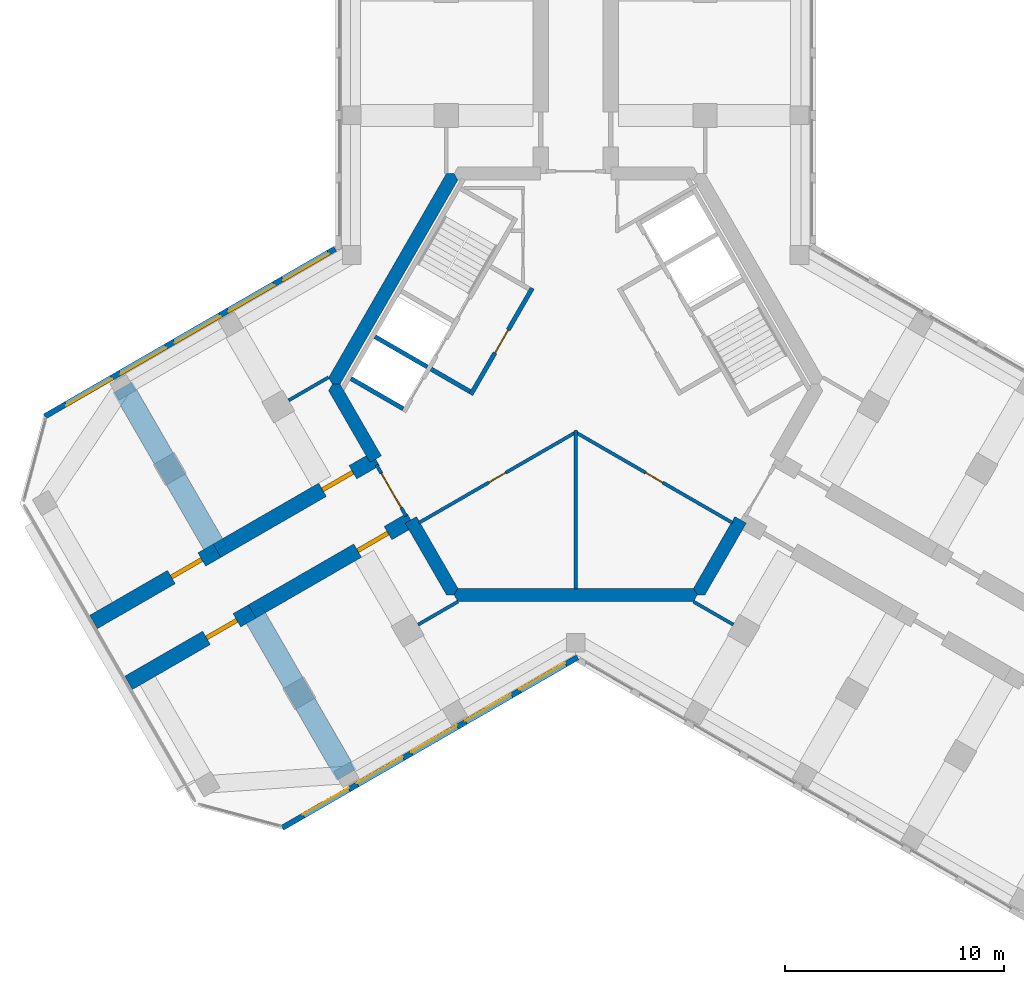
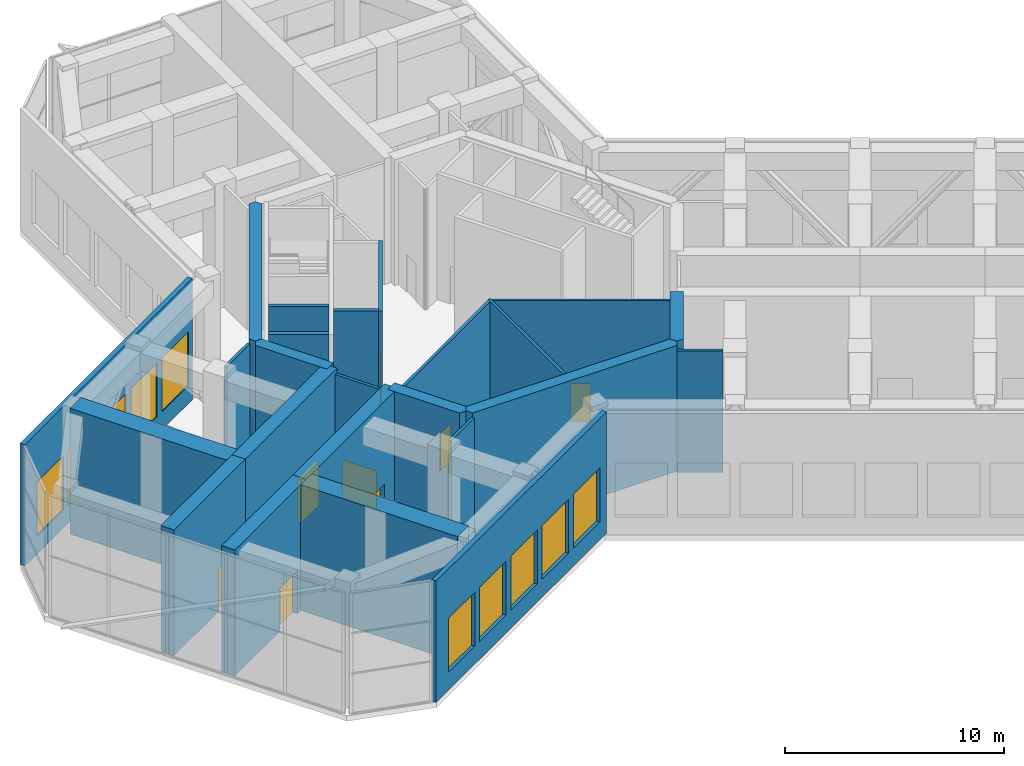
# One storey, part 8 of 12: 24 walls, 10 windows, 8 doors, 18 openings.
"""IFC4 building model written with IfcOpenShell, lengths in metres."""

import ifcopenshell
import ifcopenshell.guid

model = None  # the IFC model being written
_history = None  # IfcOwnerHistory: only IFC2X3 demands one
_inside = {}  # id of a spatial element -> (the spatial element, [elements in it])
_under = {}  # id of a project, library or spatial element -> (it, [spatial elements below it])
_declared = {}  # id of a project -> (the project, [libraries it declares])
_typed = {}  # id of a type object -> (the type object, [elements of that type])
_made_of = {}  # id of a material, layer set ... -> (it, [elements and type objects made of it])


def new_model(schema):
    """Start an empty IFC model of exactly this schema.

    Asked for "IFC4X3", IfcOpenShell would pick the latest addendum, in which some entities
    have other attributes; the version numbers below select the first issue.
    IFC2X3 requires an IfcOwnerHistory on every rooted entity: one is made here for all.
    """
    global model, _history
    if schema == "IFC4X3":
        model = ifcopenshell.file(schema_version=(4, 3, 0, 0))
    else:
        model = ifcopenshell.file(schema=schema)
    _inside.clear()
    _under.clear()
    _declared.clear()
    _typed.clear()
    _made_of.clear()
    _history = None
    if model.schema == "IFC2X3":
        org = make("IfcOrganization", Name="unknown")
        user = make(
            "IfcPersonAndOrganization",
            ThePerson=make("IfcPerson", FamilyName="unknown"),
            TheOrganization=org,
        )
        app = make(
            "IfcApplication",
            ApplicationDeveloper=org,
            Version="unknown",
            ApplicationFullName="unknown",
            ApplicationIdentifier="unknown",
        )
        _history = make(
            "IfcOwnerHistory",
            OwningUser=user,
            OwningApplication=app,
            ChangeAction="ADDED",
            CreationDate=0,
        )
    return model


def make(cls, **values):
    """One entity of the class cls with the attributes given. An attribute that is None is left unset."""
    return model.create_entity(
        cls, **{name: value for name, value in values.items() if value is not None}
    )


def rooted(cls, **values):
    """An entity with a GlobalId (a new one), such as an element, a storey or a relation."""
    return make(cls, GlobalId=ifcopenshell.guid.new(), OwnerHistory=_history, **values)


def si_unit(unit_type, name, prefix=None):
    """IfcSIUnit, for example si_unit("LENGTHUNIT", "METRE", prefix="MILLI")."""
    return make("IfcSIUnit", UnitType=unit_type, Prefix=prefix, Name=name)


def assignment(units):
    """IfcUnitAssignment: the units of a project."""
    return None if units is None else make("IfcUnitAssignment", Units=units)


def point(xyz):
    """IfcCartesianPoint."""
    return None if xyz is None else make("IfcCartesianPoint", Coordinates=xyz)


def direction(xyz):
    """IfcDirection."""
    return None if xyz is None else make("IfcDirection", DirectionRatios=xyz)


def frame(location, z_axis=None, x_axis=None):
    """IfcAxis2Placement3D, a coordinate frame: its origin and axes. An axis left out is left unset."""
    return make(
        "IfcAxis2Placement3D",
        Location=point(location),
        Axis=direction(z_axis),
        RefDirection=direction(x_axis),
    )


def frame_2d(location, x_axis=None):
    """IfcAxis2Placement2D, a coordinate frame in the plane: its origin and x axis."""
    return make(
        "IfcAxis2Placement2D", Location=point(location), RefDirection=direction(x_axis)
    )


def origin():
    """The frame at (0, 0, 0) with its axes left unset."""
    return frame((0.0, 0.0, 0.0))


def place(relative_to, where):
    """IfcLocalPlacement: puts the frame where relative to a parent placement (None: the world)."""
    return make(
        "IfcLocalPlacement", PlacementRelTo=relative_to, RelativePlacement=where
    )


def context(
    kind, dimensions, precision=None, world=None, true_north=None, identifier=None
):
    """IfcGeometricRepresentationContext, for example the 3D "Model" context."""
    return make(
        "IfcGeometricRepresentationContext",
        ContextIdentifier=identifier,
        ContextType=kind,
        CoordinateSpaceDimension=dimensions,
        Precision=precision,
        WorldCoordinateSystem=world,
        TrueNorth=true_north,
    )


def subcontext(parent, identifier, kind, view, scale=None):
    """IfcGeometricRepresentationSubContext, for example "Body" below "Model"."""
    return make(
        "IfcGeometricRepresentationSubContext",
        ContextIdentifier=identifier,
        ContextType=kind,
        ParentContext=parent,
        TargetScale=scale,
        TargetView=view,
    )


def project(units=None, contexts=None):
    """IfcProject with its units and contexts."""
    return rooted(
        "IfcProject",
        Name="project",
        RepresentationContexts=contexts,
        UnitsInContext=assignment(units),
    )


def spatial(cls, under=None, at=None, **own):
    """A site, building, storey or space (cls), placed at a placement, below another one or the project."""
    s = rooted(cls, ObjectPlacement=at, **own)
    if under is not None:
        _under.setdefault(under.id(), (under, []))[1].append(s)
    return s


def polyline(points):
    """IfcPolyline through the points."""
    return make("IfcPolyline", Points=[point(p) for p in points])


def profile(cls, at=None, kind="AREA", **sizes):
    """A parametric profile (cls). Its sizes go by their IFC names, for example OverallWidth=200.0."""
    return make(cls, ProfileType=kind, Position=at, **sizes)


def rectangle(**sizes):
    """IfcRectangleProfileDef."""
    return profile("IfcRectangleProfileDef", **sizes)


def outline(outer, holes=None, kind="AREA"):
    """IfcArbitraryClosedProfileDef: a profile drawn as a closed curve; with holes, ...WithVoids."""
    if holes is None:
        return make("IfcArbitraryClosedProfileDef", ProfileType=kind, OuterCurve=outer)
    return make(
        "IfcArbitraryProfileDefWithVoids",
        ProfileType=kind,
        OuterCurve=outer,
        InnerCurves=holes,
    )


def extrude(swept, where, along, depth):
    """IfcExtrudedAreaSolid: the profile swept, set in the frame where, extruded along a direction by depth."""
    return make(
        "IfcExtrudedAreaSolid",
        SweptArea=swept,
        Position=where,
        ExtrudedDirection=direction(along),
        Depth=depth,
    )


def shape(context_of_items, identifier, shape_type, items):
    """IfcShapeRepresentation: the items that make up one representation, for example the "Body"."""
    return make(
        "IfcShapeRepresentation",
        ContextOfItems=context_of_items,
        RepresentationIdentifier=identifier,
        RepresentationType=shape_type,
        Items=items,
    )


def material(Name=None, Category=None):
    """IfcMaterial."""
    return make("IfcMaterial", Name=Name, Category=Category)


def layer(
    of_material, thickness, ventilated=None, Name=None, Category=None, Priority=None
):
    """IfcMaterialLayer: one layer of a wall or slab, of a material (None: an air gap)."""
    return make(
        "IfcMaterialLayer",
        Material=of_material,
        LayerThickness=thickness,
        IsVentilated=ventilated,
        Name=Name,
        Category=Category,
        Priority=Priority,
    )


def layer_set(layers, Name=None):
    """IfcMaterialLayerSet."""
    return make("IfcMaterialLayerSet", MaterialLayers=layers, LayerSetName=Name)


def made_of(thing, what):
    """Note that an element or type object is made of a material, layer set ...; save() writes the relation."""
    if what is not None:
        _made_of.setdefault(what.id(), (what, []))[1].append(thing)
    return thing


def type_object(cls, material=None, **own):
    """A type object (cls), such as IfcWallType, which elements share."""
    return made_of(rooted(cls, **own), material)


def element(
    cls,
    number,
    at=None,
    inside=None,
    cuts=None,
    type_object=None,
    material=None,
    context=None,
    identifier="Body",
    shape_type=None,
    held_by="IfcProductDefinitionShape",
    body=None,
    shapes=None,
    **own,
):
    """One element of the class cls, such as IfcWall. Its Tag is "e" and its number.

    at: its placement. inside: the storey or other place that contains it. cuts: it is an
    opening in that element (IfcRelVoidsElement). A single representation is given by context,
    identifier, shape_type and body (its items); several are given by shapes. held_by: the class
    of the entity that holds the representations. save() writes the other relations.
    """
    e = rooted(cls, Tag="e%d" % number, ObjectPlacement=at, **own)
    if body is not None:
        shapes = [shape(context, identifier, shape_type, body)]
    if shapes is not None:
        e.Representation = make(held_by, Representations=shapes)
    if inside is not None:
        _inside.setdefault(inside.id(), (inside, []))[1].append(e)
    if cuts is not None:
        rooted(
            "IfcRelVoidsElement", RelatingBuildingElement=cuts, RelatedOpeningElement=e
        )
    if type_object is not None:
        _typed.setdefault(type_object.id(), (type_object, []))[1].append(e)
    return made_of(e, material)


def fill(opening, filler):
    """IfcRelFillsElement: the door or window that sits in an opening."""
    return rooted(
        "IfcRelFillsElement",
        RelatingOpeningElement=opening,
        RelatedBuildingElement=filler,
    )


def aggregate(whole, parts):
    """IfcRelAggregates: a whole, such as a stair, and the parts it consists of."""
    return rooted("IfcRelAggregates", RelatingObject=whole, RelatedObjects=parts)


def save(model, path):
    """Write the relations noted so far, then the file.

    IfcRelAggregates (storeys below a building ...), IfcRelContainedInSpatialStructure (elements
    in a storey), IfcRelDefinesByType, IfcRelAssociatesMaterial and IfcRelDeclares: one each for
    every whole, place, type object, material and project.
    """
    for whole, parts in _under.values():
        aggregate(whole, parts)
    for where, things in _inside.values():
        rooted(
            "IfcRelContainedInSpatialStructure",
            RelatedElements=things,
            RelatingStructure=where,
        )
    for kind, things in _typed.values():
        rooted("IfcRelDefinesByType", RelatedObjects=things, RelatingType=kind)
    for what, things in _made_of.values():
        rooted("IfcRelAssociatesMaterial", RelatedObjects=things, RelatingMaterial=what)
    for by, libraries in _declared.values():
        rooted("IfcRelDeclares", RelatingContext=by, RelatedDefinitions=libraries)
    model.write(path)


model = new_model("IFC4")

# Units and contexts
model_context = context("Model", 3, precision=1e-05, world=origin(), true_north=direction((0.0, 1.0)))
body_context = subcontext(model_context, "Body", "Model", "MODEL_VIEW")
ifc_project = project(units=[si_unit("LENGTHUNIT", "METRE"), si_unit("AREAUNIT", "SQUARE_METRE"), si_unit("VOLUMEUNIT", "CUBIC_METRE"), si_unit("PLANEANGLEUNIT", "RADIAN"), si_unit("MASSUNIT", "GRAM", prefix="KILO")], contexts=[model_context])

# Site, building, storey
site_placement = place(None, origin())
site = spatial("IfcSite", under=ifc_project, at=site_placement, CompositionType="ELEMENT")
building_placement = place(site_placement, origin())
building = spatial("IfcBuilding", under=site, at=building_placement, Name="Kosmar Iwan School Tower", CompositionType="ELEMENT")
storey_placement = place(building_placement, frame((0.0, 0.0, 260.39990234375)))
storey = spatial("IfcBuildingStorey", under=building, at=storey_placement, Name="L66", CompositionType="ELEMENT", Elevation=260.39990234375)

# Wall
ifc_material_1 = material(Name="Gypsum board on steel studs, fire-rated", Category="steel")
ifc_layer_1 = layer(ifc_material_1, 0.14990234375)
ifc_layer_set_1 = layer_set([ifc_layer_1], Name="Core room partition 150")
wall_type_1 = type_object("IfcWallType", Name="Core room partition 150", PredefinedType="PARTITIONING", material=ifc_layer_set_1)
wall_1_placement = place(storey_placement, frame((0.0, -9.344970703125, 0.0), z_axis=(0.0, 0.0, 1.0), x_axis=(0.0, 1.0, 0.0)))
element("IfcWall", 1, at=wall_1_placement, inside=storey, type_object=wall_type_1, Name="Core room partition L66-CW5", PredefinedType="PARTITIONING", context=body_context, shape_type="SweptSolid", body=[
    extrude(rectangle(XDim=7.22607421875, YDim=0.14990234375, at=frame_2d((3.613037109375, 0.0))), origin(), (0.0, 0.0, 1.0), 6.75),
])

# Wall, opening, door
wall_2_placement = place(storey_placement, frame((-0.06494140625, -2.156494140625, 0.0), z_axis=(0.0, 0.0, 1.0), x_axis=(0.866034159509, -0.499984834333, 0.0)))
wall_2 = element("IfcWall", 2, at=wall_2_placement, inside=storey, type_object=wall_type_1, Name="Core room partition L66-CW6", PredefinedType="PARTITIONING", context=body_context, shape_type="SweptSolid", body=[
    extrude(rectangle(XDim=8.322998046875, YDim=0.14990234375, at=frame_2d((4.16162109375, 0.0))), origin(), (0.0, 0.0, 1.0), 6.75),
])
opening_1_placement = place(wall_2_placement, frame((3.7470703125, 0.0, 0.0)))
opening_1 = element("IfcOpeningElement", 3, at=opening_1_placement, cuts=wall_2, Name="Opening D14", PredefinedType="OPENING", context=body_context, shape_type="SweptSolid", body=[
    extrude(rectangle(XDim=0.89990234375, YDim=2.10009765625, at=frame_2d((0.449951171875, 1.050048828125))), frame((0.0, 0.0869140625, 0.0), z_axis=(0.0, -1.0, 0.0), x_axis=(1.0, 0.0, 0.0)), (0.0, 0.0, 1.0), 0.173828125),
])
ifc_material_2 = material(Name="Timber fire door in steel frame", Category="steel")
door_type_1 = type_object("IfcDoorType", Name="Core room door 900x2100", OperationType="SINGLE_SWING_LEFT", PredefinedType="DOOR", material=ifc_material_2)
door_1_placement = place(opening_1_placement, origin())
door_1 = element("IfcDoor", 4, at=door_1_placement, inside=storey, type_object=door_type_1, Name="Spares store door L66 3", OperationType="SINGLE_SWING_RIGHT", OverallHeight=2.10009765625, OverallWidth=0.89990234375, PredefinedType="DOOR", context=body_context, shape_type="SweptSolid", body=[
    extrude(rectangle(XDim=0.89990234375, YDim=2.10009765625, at=frame_2d((0.449951171875, 1.050048828125))), frame((0.0, 0.02490234375, 0.0), z_axis=(0.0, -1.0, 0.0), x_axis=(1.0, 0.0, 0.0)), (0.0, 0.0, 1.0), 0.050048828125),
])
fill(opening_1, door_1)

wall_3_placement = place(storey_placement, frame((-7.14306640625, -6.31787109375, 0.0), z_axis=(0.0, 0.0, 1.0), x_axis=(0.866034159509, 0.499984834333, 0.0)))
wall_3 = element("IfcWall", 5, at=wall_3_placement, inside=storey, type_object=wall_type_1, Name="Core room partition L66-CW7", PredefinedType="PARTITIONING", context=body_context, shape_type="SweptSolid", body=[
    extrude(rectangle(XDim=8.322998046875, YDim=0.14990234375, at=frame_2d((4.16162109375, 0.0))), origin(), (0.0, 0.0, 1.0), 6.75),
])
opening_2_placement = place(wall_3_placement, frame((3.677001953125, 0.0, 0.0)))
opening_2 = element("IfcOpeningElement", 6, at=opening_2_placement, cuts=wall_3, Name="Opening D14", PredefinedType="OPENING", context=body_context, shape_type="SweptSolid", body=[
    extrude(rectangle(XDim=0.89990234375, YDim=2.10009765625, at=frame_2d((0.449951171875, 1.050048828125))), frame((0.0, 0.0869140625, 0.0), z_axis=(0.0, -1.0, 0.0), x_axis=(1.0, 0.0, 0.0)), (0.0, 0.0, 1.0), 0.173828125),
])
door_2_placement = place(opening_2_placement, origin())
door_2 = element("IfcDoor", 7, at=door_2_placement, inside=storey, type_object=door_type_1, Name="Maintenance workshop door L66 4", OperationType="SINGLE_SWING_LEFT", OverallHeight=2.10009765625, OverallWidth=0.89990234375, PredefinedType="DOOR", context=body_context, shape_type="SweptSolid", body=[
    extrude(rectangle(XDim=0.89990234375, YDim=2.10009765625, at=frame_2d((0.449951171875, 1.050048828125))), frame((0.0, 0.02490234375, 0.0), z_axis=(0.0, -1.0, 0.0), x_axis=(1.0, 0.0, 0.0)), (0.0, 0.0, 1.0), 0.050048828125),
])
fill(opening_2, door_2)

# Walls
ifc_material_3 = material(Name="Concrete C50/60", Category="concrete")
ifc_layer_2 = layer(ifc_material_3, 0.60009765625)
ifc_layer_set_2 = layer_set([ifc_layer_2], Name="Core wall 600")
wall_type_2 = type_object("IfcWallType", Name="Core wall 600", PredefinedType="SHEAR", material=ifc_layer_set_2)
wall_4_placement = place(storey_placement, origin())
element("IfcWall", 8, at=wall_4_placement, inside=storey, type_object=wall_type_2, Name="Core wall F150", PredefinedType="SHEAR", context=body_context, shape_type="SweptSolid", body=[
    extrude(outline(polyline([(-11.085205078125, 0.0), (-10.73876953125, 0.0), (-5.369384765625, 9.300048828125), (-5.54248046875, 9.60009765625), (-5.888916015625, 9.60009765625), (-11.25830078125, 0.300048828125), (-11.085205078125, 0.0)])), origin(), (0.0, 0.0, 1.0), 7.0),
])
wall_5_placement = place(storey_placement, origin())
element("IfcWall", 9, at=wall_5_placement, inside=storey, type_object=wall_type_2, Name="Core wall F210a", PredefinedType="SHEAR", context=body_context, shape_type="SweptSolid", body=[
    extrude(outline(polyline([(-9.37353515625, -3.564453125), (-8.85400390625, -3.264404296875), (-10.73876953125, 0.0), (-11.085205078125, 0.0), (-11.25830078125, -0.300048828125), (-9.37353515625, -3.564453125)])), origin(), (0.0, 0.0, 1.0), 7.0),
])
wall_6_placement = place(storey_placement, origin())
element("IfcWall", 10, at=wall_6_placement, inside=storey, type_object=wall_type_2, Name="Core wall F210b", PredefinedType="SHEAR", context=body_context, shape_type="SweptSolid", body=[
    extrude(outline(polyline([(-5.888916015625, -9.60009765625), (-5.54248046875, -9.60009765625), (-5.369384765625, -9.300048828125), (-7.254150390625, -6.03564453125), (-7.773681640625, -6.335693359375), (-5.888916015625, -9.60009765625)])), origin(), (0.0, 0.0, 1.0), 7.0),
])
wall_7_placement = place(storey_placement, origin())
element("IfcWall", 11, at=wall_7_placement, inside=storey, type_object=wall_type_2, Name="Core wall F270", PredefinedType="SHEAR", context=body_context, shape_type="SweptSolid", body=[
    extrude(outline(polyline([(-5.369384765625, -9.89990234375), (5.369384765625, -9.89990234375), (5.54248046875, -9.60009765625), (5.369384765625, -9.300048828125), (-5.369384765625, -9.300048828125), (-5.54248046875, -9.60009765625), (-5.369384765625, -9.89990234375)])), origin(), (0.0, 0.0, 1.0), 7.0),
])
wall_8_placement = place(storey_placement, origin())
element("IfcWall", 12, at=wall_8_placement, inside=storey, type_object=wall_type_2, Name="Core wall F330a", PredefinedType="SHEAR", context=body_context, shape_type="SweptSolid", body=[
    extrude(outline(polyline([(5.54248046875, -9.60009765625), (5.888916015625, -9.60009765625), (7.773681640625, -6.335693359375), (7.254150390625, -6.03564453125), (5.369384765625, -9.300048828125), (5.54248046875, -9.60009765625)])), origin(), (0.0, 0.0, 1.0), 7.0),
])

# Wall, opening, door
ifc_material_4 = material(Name="Concrete C50/60", Category="concrete")
ifc_layer_3 = layer(ifc_material_4, 0.699951171875)
ifc_layer_set_3 = layer_set([ifc_layer_3], Name="Corridor buttress wall 700")
wall_type_3 = type_object("IfcWallType", Name="Corridor buttress wall 700", PredefinedType="SHEAR", material=ifc_layer_set_3)
wall_9_placement = place(storey_placement, frame((-7.513916015625, -6.185546875, 0.0), z_axis=(0.0, 0.0, 1.0), x_axis=(-0.866019549707, -0.500010139422, 0.0)))
wall_9 = element("IfcWall", 13, at=wall_9_placement, inside=storey, type_object=wall_type_3, Name="Corridor wall BL", PredefinedType="SHEAR", context=body_context, shape_type="SweptSolid", body=[
    extrude(rectangle(XDim=8.349853515625, YDim=0.699951171875, at=frame_2d((4.1748046875, 0.0))), origin(), (0.0, 0.0, 1.0), 7.0),
])
opening_3_placement = place(wall_9_placement, frame((1.199951171875, 0.0, 0.0)))
opening_3 = element("IfcOpeningElement", 14, at=opening_3_placement, cuts=wall_9, Name="Opening D5", PredefinedType="OPENING", context=body_context, shape_type="SweptSolid", body=[
    extrude(rectangle(XDim=1.60009765625, YDim=2.39990234375, at=frame_2d((0.800048828125, 1.199951171875))), frame((0.0, 0.362060546875, 0.0), z_axis=(0.0, -1.0, 0.0), x_axis=(1.0, 0.0, 0.0)), (0.0, 0.0, 1.0), 0.723876953125),
])
ifc_material_5 = material(Name="Steel fire door", Category="steel")
door_type_2 = type_object("IfcDoorType", Name="Plant room door pair 1600x2400", OperationType="DOUBLE_DOOR_SINGLE_SWING", PredefinedType="DOOR", material=ifc_material_5)
door_3_placement = place(opening_3_placement, origin())
door_3 = element("IfcDoor", 15, at=door_3_placement, inside=storey, type_object=door_type_2, Name="Refuge area door L66-BL1", OperationType="DOUBLE_DOOR_SINGLE_SWING", OverallHeight=2.39990234375, OverallWidth=1.60009765625, PredefinedType="DOOR", context=body_context, shape_type="SweptSolid", body=[
    extrude(rectangle(XDim=1.60009765625, YDim=2.39990234375, at=frame_2d((0.800048828125, 1.199951171875))), frame((0.0, 0.10009765625, 0.0), z_axis=(0.0, -1.0, 0.0), x_axis=(1.0, 0.0, 0.0)), (0.0, 0.0, 1.0), 0.199951171875),
])
fill(opening_3, door_3)

wall_10_placement = place(storey_placement, frame((-14.7451171875, -10.360595703125, 0.0), z_axis=(0.0, 0.0, 1.0), x_axis=(-0.866027848477, -0.499995765644, 0.0)))
wall_10 = element("IfcWall", 16, at=wall_10_placement, inside=storey, type_object=wall_type_3, Name="Corridor wall BL bay 2", PredefinedType="SHEAR", context=body_context, shape_type="SweptSolid", body=[
    extrude(rectangle(XDim=6.4951171875, YDim=0.699951171875, at=frame_2d((3.24755859375, 0.0))), origin(), (0.0, 0.0, 1.0), 7.0),
])
opening_4_placement = place(wall_10_placement, frame((0.800048828125, 0.0, 0.0)))
opening_4 = element("IfcOpeningElement", 17, at=opening_4_placement, cuts=wall_10, Name="Opening D5", PredefinedType="OPENING", context=body_context, shape_type="SweptSolid", body=[
    extrude(rectangle(XDim=1.60009765625, YDim=2.39990234375, at=frame_2d((0.800048828125, 1.199951171875))), frame((0.0, 0.362060546875, 0.0), z_axis=(0.0, -1.0, 0.0), x_axis=(1.0, 0.0, 0.0)), (0.0, 0.0, 1.0), 0.723876953125),
])
door_4_placement = place(opening_4_placement, origin())
door_4 = element("IfcDoor", 18, at=door_4_placement, inside=storey, type_object=door_type_2, Name="Lift machine room door L66-BL2", OperationType="DOUBLE_DOOR_SINGLE_SWING", OverallHeight=2.39990234375, OverallWidth=1.60009765625, PredefinedType="DOOR", context=body_context, shape_type="SweptSolid", body=[
    extrude(rectangle(XDim=1.60009765625, YDim=2.39990234375, at=frame_2d((0.800048828125, 1.199951171875))), frame((0.0, 0.10009765625, 0.0), z_axis=(0.0, -1.0, 0.0), x_axis=(1.0, 0.0, 0.0)), (0.0, 0.0, 1.0), 0.199951171875),
])
fill(opening_4, door_4)

wall_11_placement = place(storey_placement, frame((-9.11376953125, -3.414306640625, 0.0), z_axis=(0.0, 0.0, 1.0), x_axis=(-0.866026859388, -0.499997478812, 0.0)))
wall_11 = element("IfcWall", 19, at=wall_11_placement, inside=storey, type_object=wall_type_3, Name="Corridor wall BR", PredefinedType="SHEAR", context=body_context, shape_type="SweptSolid", body=[
    extrude(rectangle(XDim=8.35009765625, YDim=0.699951171875, at=frame_2d((4.175048828125, 0.0))), origin(), (0.0, 0.0, 1.0), 7.0),
])
opening_5_placement = place(wall_11_placement, frame((1.199951171875, 0.0, 0.0)))
opening_5 = element("IfcOpeningElement", 20, at=opening_5_placement, cuts=wall_11, Name="Opening D5", PredefinedType="OPENING", context=body_context, shape_type="SweptSolid", body=[
    extrude(rectangle(XDim=1.60009765625, YDim=2.39990234375, at=frame_2d((0.800048828125, 1.199951171875))), frame((0.0, 0.362060546875, 0.0), z_axis=(0.0, -1.0, 0.0), x_axis=(1.0, 0.0, 0.0)), (0.0, 0.0, 1.0), 0.723876953125),
])
door_5_placement = place(opening_5_placement, origin())
door_5 = element("IfcDoor", 21, at=door_5_placement, inside=storey, type_object=door_type_2, Name="Refuge area door L66-BR1", OperationType="DOUBLE_DOOR_SINGLE_SWING", OverallHeight=2.39990234375, OverallWidth=1.60009765625, PredefinedType="DOOR", context=body_context, shape_type="SweptSolid", body=[
    extrude(rectangle(XDim=1.60009765625, YDim=2.39990234375, at=frame_2d((0.800048828125, 1.199951171875))), frame((0.0, 0.10009765625, 0.0), z_axis=(0.0, -1.0, 0.0), x_axis=(1.0, 0.0, 0.0)), (0.0, 0.0, 1.0), 0.199951171875),
])
fill(opening_5, door_5)

wall_12_placement = place(storey_placement, frame((-16.34521484375, -7.58935546875, 0.0), z_axis=(0.0, 0.0, 1.0), x_axis=(-0.866018451174, -0.500012042081, 0.0)))
wall_12 = element("IfcWall", 22, at=wall_12_placement, inside=storey, type_object=wall_type_3, Name="Corridor wall BR bay 2", PredefinedType="SHEAR", context=body_context, shape_type="SweptSolid", body=[
    extrude(rectangle(XDim=6.494873046875, YDim=0.699951171875, at=frame_2d((3.24755859375, 0.0))), origin(), (0.0, 0.0, 1.0), 7.0),
])
opening_6_placement = place(wall_12_placement, frame((0.800048828125, 0.0, 0.0)))
opening_6 = element("IfcOpeningElement", 23, at=opening_6_placement, cuts=wall_12, Name="Opening D5", PredefinedType="OPENING", context=body_context, shape_type="SweptSolid", body=[
    extrude(rectangle(XDim=1.60009765625, YDim=2.39990234375, at=frame_2d((0.800048828125, 1.199951171875))), frame((0.0, 0.362060546875, 0.0), z_axis=(0.0, -1.0, 0.0), x_axis=(1.0, 0.0, 0.0)), (0.0, 0.0, 1.0), 0.723876953125),
])
door_6_placement = place(opening_6_placement, origin())
door_6 = element("IfcDoor", 24, at=door_6_placement, inside=storey, type_object=door_type_2, Name="Lift machine room door L66-BR2", OperationType="DOUBLE_DOOR_SINGLE_SWING", OverallHeight=2.39990234375, OverallWidth=1.60009765625, PredefinedType="DOOR", context=body_context, shape_type="SweptSolid", body=[
    extrude(rectangle(XDim=1.60009765625, YDim=2.39990234375, at=frame_2d((0.800048828125, 1.199951171875))), frame((0.0, 0.10009765625, 0.0), z_axis=(0.0, -1.0, 0.0), x_axis=(1.0, 0.0, 0.0)), (0.0, 0.0, 1.0), 0.199951171875),
])
fill(opening_6, door_6)

ifc_material_6 = material(Name="Steel framed glazed screen", Category="steel")
ifc_layer_4 = layer(ifc_material_6, 0.14990234375)
ifc_layer_set_4 = layer_set([ifc_layer_4], Name="Corridor screen wall 150")
wall_type_4 = type_object("IfcWallType", Name="Corridor screen wall 150", PredefinedType="PARTITIONING", material=ifc_layer_set_4)
wall_13_placement = place(storey_placement, frame((-9.075439453125, -3.680908203125, 0.0), z_axis=(0.0, 0.0, 1.0), x_axis=(0.500048589285, -0.86599734893, 0.0)))
wall_13 = element("IfcWall", 25, at=wall_13_placement, inside=storey, type_object=wall_type_4, Name="Corridor screen B L66", PredefinedType="PARTITIONING", context=body_context, shape_type="SweptSolid", body=[
    extrude(rectangle(XDim=2.699951171875, YDim=0.14990234375, at=frame_2d((1.35009765625, 0.0))), origin(), (0.0, 0.0, 1.0), 6.75),
])
opening_7_placement = place(wall_13_placement, frame((0.449951171875, 0.0, 0.0)))
opening_7 = element("IfcOpeningElement", 26, at=opening_7_placement, cuts=wall_13, Name="Opening D9", PredefinedType="OPENING", context=body_context, shape_type="SweptSolid", body=[
    extrude(rectangle(XDim=1.800048828125, YDim=2.10009765625, at=frame_2d((0.89990234375, 1.050048828125))), frame((0.0, 0.0869140625, 0.0), z_axis=(0.0, -1.0, 0.0), x_axis=(1.0, 0.0, 0.0)), (0.0, 0.0, 1.0), 0.173828125),
])
ifc_material_7 = material(Name="Steel framed glazed smoke door", Category="steel")
door_type_3 = type_object("IfcDoorType", Name="Corridor smoke door pair 1800x2100", OperationType="DOUBLE_DOOR_DOUBLE_SWING", PredefinedType="DOOR", material=ifc_material_7)
door_7_placement = place(opening_7_placement, origin())
door_7 = element("IfcDoor", 27, at=door_7_placement, inside=storey, type_object=door_type_3, Name="Corridor doors B L66", OperationType="DOUBLE_DOOR_DOUBLE_SWING", OverallHeight=2.10009765625, OverallWidth=1.800048828125, PredefinedType="DOOR", context=body_context, shape_type="SweptSolid", body=[
    extrude(rectangle(XDim=1.800048828125, YDim=2.10009765625, at=frame_2d((0.89990234375, 1.050048828125))), frame((0.0, 0.02490234375, 0.0), z_axis=(0.0, -1.0, 0.0), x_axis=(1.0, 0.0, 0.0)), (0.0, 0.0, 1.0), 0.050048828125),
])
fill(opening_7, door_7)

# Wall, openings, windows
ifc_material_8 = material(Name="Black aluminium rainscreen on insulated framing", Category="aluminium")
ifc_layer_5 = layer(ifc_material_8, 0.25)
ifc_layer_set_5 = layer_set([ifc_layer_5], Name="External wall rainscreen 250")
wall_type_5 = type_object("IfcWallType", Name="External wall rainscreen 250", PredefinedType="SOLIDWALL", material=ifc_layer_set_5)
wall_14_placement = place(storey_placement, frame((-10.962890625, 6.170166015625, 0.0), z_axis=(0.0, 0.0, 1.0), x_axis=(-0.866025637253, -0.499999595621, 0.0)))
wall_14 = element("IfcWall", 28, at=wall_14_placement, inside=storey, type_object=wall_type_5, Name="External wall BR L66", PredefinedType="SOLIDWALL", context=body_context, shape_type="SweptSolid", body=[
    extrude(rectangle(XDim=15.2763671875, YDim=0.25, at=frame_2d((7.63818359375, 0.0))), origin(), (0.0, 0.0, 1.0), 6.75),
])
opening_8_placement = place(wall_14_placement, frame((0.365966796875, 0.0, 1.0)))
opening_8 = element("IfcOpeningElement", 29, at=opening_8_placement, cuts=wall_14, Name="Opening LV1", PredefinedType="OPENING", context=body_context, shape_type="SweptSolid", body=[
    extrude(rectangle(XDim=2.39990234375, YDim=3.0, at=frame_2d((1.199951171875, 1.5))), frame((0.0, 0.136962890625, 0.0), z_axis=(0.0, -1.0, 0.0), x_axis=(1.0, 0.0, 0.0)), (0.0, 0.0, 1.0), 0.27392578125),
])
opening_9_placement = place(wall_14_placement, frame((3.216064453125, 0.0, 1.0)))
opening_9 = element("IfcOpeningElement", 30, at=opening_9_placement, cuts=wall_14, Name="Opening LV1", PredefinedType="OPENING", context=body_context, shape_type="SweptSolid", body=[
    extrude(rectangle(XDim=2.39990234375, YDim=3.0, at=frame_2d((1.199951171875, 1.5))), frame((0.0, 0.136962890625, 0.0), z_axis=(0.0, -1.0, 0.0), x_axis=(1.0, 0.0, 0.0)), (0.0, 0.0, 1.0), 0.27392578125),
])
opening_10_placement = place(wall_14_placement, frame((6.06591796875, 0.0, 1.0)))
opening_10 = element("IfcOpeningElement", 31, at=opening_10_placement, cuts=wall_14, Name="Opening LV1", PredefinedType="OPENING", context=body_context, shape_type="SweptSolid", body=[
    extrude(rectangle(XDim=2.39990234375, YDim=3.0, at=frame_2d((1.199951171875, 1.5))), frame((0.0, 0.136962890625, 0.0), z_axis=(0.0, -1.0, 0.0), x_axis=(1.0, 0.0, 0.0)), (0.0, 0.0, 1.0), 0.27392578125),
])
opening_11_placement = place(wall_14_placement, frame((8.916015625, 0.0, 1.0)))
opening_11 = element("IfcOpeningElement", 32, at=opening_11_placement, cuts=wall_14, Name="Opening LV1", PredefinedType="OPENING", context=body_context, shape_type="SweptSolid", body=[
    extrude(rectangle(XDim=2.39990234375, YDim=3.0, at=frame_2d((1.199951171875, 1.5))), frame((0.0, 0.136962890625, 0.0), z_axis=(0.0, -1.0, 0.0), x_axis=(1.0, 0.0, 0.0)), (0.0, 0.0, 1.0), 0.27392578125),
])
opening_12_placement = place(wall_14_placement, frame((11.76611328125, 0.0, 1.0)))
opening_12 = element("IfcOpeningElement", 33, at=opening_12_placement, cuts=wall_14, Name="Opening LV1", PredefinedType="OPENING", context=body_context, shape_type="SweptSolid", body=[
    extrude(rectangle(XDim=2.39990234375, YDim=3.0, at=frame_2d((1.199951171875, 1.5))), frame((0.0, 0.136962890625, 0.0), z_axis=(0.0, -1.0, 0.0), x_axis=(1.0, 0.0, 0.0)), (0.0, 0.0, 1.0), 0.27392578125),
])
ifc_material_9 = material(Name="Black aluminium louvre", Category="aluminium")
window_type = type_object("IfcWindowType", Name="Plant louvre 2400x3000", PartitioningType="SINGLE_PANEL", PredefinedType="USERDEFINED", material=ifc_material_9)
window_1_placement = place(opening_8_placement, origin())
window_1 = element("IfcWindow", 34, at=window_1_placement, inside=storey, type_object=window_type, Name="Window BR L66 -1", ObjectType="LOUVRE", OverallHeight=3.0, OverallWidth=2.39990234375, PartitioningType="SINGLE_PANEL", PredefinedType="USERDEFINED", context=body_context, shape_type="SweptSolid", body=[
    extrude(rectangle(XDim=2.39990234375, YDim=3.0, at=frame_2d((1.199951171875, 1.5))), frame((0.0, 0.070068359375, 0.0), z_axis=(0.0, -1.0, 0.0), x_axis=(1.0, 0.0, 0.0)), (0.0, 0.0, 1.0), 0.02001953125),
])
fill(opening_8, window_1)
window_2_placement = place(opening_9_placement, origin())
window_2 = element("IfcWindow", 35, at=window_2_placement, inside=storey, type_object=window_type, Name="Window BR L66 0", ObjectType="LOUVRE", OverallHeight=3.0, OverallWidth=2.39990234375, PartitioningType="SINGLE_PANEL", PredefinedType="USERDEFINED", context=body_context, shape_type="SweptSolid", body=[
    extrude(rectangle(XDim=2.39990234375, YDim=3.0, at=frame_2d((1.199951171875, 1.5))), frame((0.0, 0.070068359375, 0.0), z_axis=(0.0, -1.0, 0.0), x_axis=(1.0, 0.0, 0.0)), (0.0, 0.0, 1.0), 0.02001953125),
])
fill(opening_9, window_2)
window_3_placement = place(opening_10_placement, origin())
window_3 = element("IfcWindow", 36, at=window_3_placement, inside=storey, type_object=window_type, Name="Window BR L66 1", ObjectType="LOUVRE", OverallHeight=3.0, OverallWidth=2.39990234375, PartitioningType="SINGLE_PANEL", PredefinedType="USERDEFINED", context=body_context, shape_type="SweptSolid", body=[
    extrude(rectangle(XDim=2.39990234375, YDim=3.0, at=frame_2d((1.199951171875, 1.5))), frame((0.0, 0.070068359375, 0.0), z_axis=(0.0, -1.0, 0.0), x_axis=(1.0, 0.0, 0.0)), (0.0, 0.0, 1.0), 0.02001953125),
])
fill(opening_10, window_3)
window_4_placement = place(opening_11_placement, origin())
window_4 = element("IfcWindow", 37, at=window_4_placement, inside=storey, type_object=window_type, Name="Window BR L66 2", ObjectType="LOUVRE", OverallHeight=3.0, OverallWidth=2.39990234375, PartitioningType="SINGLE_PANEL", PredefinedType="USERDEFINED", context=body_context, shape_type="SweptSolid", body=[
    extrude(rectangle(XDim=2.39990234375, YDim=3.0, at=frame_2d((1.199951171875, 1.5))), frame((0.0, 0.070068359375, 0.0), z_axis=(0.0, -1.0, 0.0), x_axis=(1.0, 0.0, 0.0)), (0.0, 0.0, 1.0), 0.02001953125),
])
fill(opening_11, window_4)
window_5_placement = place(opening_12_placement, origin())
window_5 = element("IfcWindow", 38, at=window_5_placement, inside=storey, type_object=window_type, Name="Window BR L66 3", ObjectType="LOUVRE", OverallHeight=3.0, OverallWidth=2.39990234375, PartitioningType="SINGLE_PANEL", PredefinedType="USERDEFINED", context=body_context, shape_type="SweptSolid", body=[
    extrude(rectangle(XDim=2.39990234375, YDim=3.0, at=frame_2d((1.199951171875, 1.5))), frame((0.0, 0.070068359375, 0.0), z_axis=(0.0, -1.0, 0.0), x_axis=(1.0, 0.0, 0.0)), (0.0, 0.0, 1.0), 0.02001953125),
])
fill(opening_12, window_5)

wall_15_placement = place(storey_placement, frame((0.088134765625, -12.44873046875, 0.0), z_axis=(0.0, 0.0, 1.0), x_axis=(-0.866029894971, -0.499992220956, 0.0)))
wall_15 = element("IfcWall", 39, at=wall_15_placement, inside=storey, type_object=wall_type_5, Name="External wall BL L66", PredefinedType="SOLIDWALL", context=body_context, shape_type="SweptSolid", body=[
    extrude(rectangle(XDim=15.537353515625, YDim=0.25, at=frame_2d((7.7685546875, 0.0))), origin(), (0.0, 0.0, 1.0), 6.75),
])
opening_13_placement = place(wall_15_placement, frame((0.626953125, 0.0, 1.0)))
opening_13 = element("IfcOpeningElement", 40, at=opening_13_placement, cuts=wall_15, Name="Opening LV1", PredefinedType="OPENING", context=body_context, shape_type="SweptSolid", body=[
    extrude(rectangle(XDim=2.39990234375, YDim=3.0, at=frame_2d((1.199951171875, 1.5))), frame((0.0, 0.136962890625, 0.0), z_axis=(0.0, -1.0, 0.0), x_axis=(1.0, 0.0, 0.0)), (0.0, 0.0, 1.0), 0.27392578125),
])
opening_14_placement = place(wall_15_placement, frame((3.47705078125, 0.0, 1.0)))
opening_14 = element("IfcOpeningElement", 41, at=opening_14_placement, cuts=wall_15, Name="Opening LV1", PredefinedType="OPENING", context=body_context, shape_type="SweptSolid", body=[
    extrude(rectangle(XDim=2.39990234375, YDim=3.0, at=frame_2d((1.199951171875, 1.5))), frame((0.0, 0.136962890625, 0.0), z_axis=(0.0, -1.0, 0.0), x_axis=(1.0, 0.0, 0.0)), (0.0, 0.0, 1.0), 0.27392578125),
])
opening_15_placement = place(wall_15_placement, frame((6.326904296875, 0.0, 1.0)))
opening_15 = element("IfcOpeningElement", 42, at=opening_15_placement, cuts=wall_15, Name="Opening LV1", PredefinedType="OPENING", context=body_context, shape_type="SweptSolid", body=[
    extrude(rectangle(XDim=2.39990234375, YDim=3.0, at=frame_2d((1.199951171875, 1.5))), frame((0.0, 0.136962890625, 0.0), z_axis=(0.0, -1.0, 0.0), x_axis=(1.0, 0.0, 0.0)), (0.0, 0.0, 1.0), 0.27392578125),
])
opening_16_placement = place(wall_15_placement, frame((9.177001953125, 0.0, 1.0)))
opening_16 = element("IfcOpeningElement", 43, at=opening_16_placement, cuts=wall_15, Name="Opening LV1", PredefinedType="OPENING", context=body_context, shape_type="SweptSolid", body=[
    extrude(rectangle(XDim=2.39990234375, YDim=3.0, at=frame_2d((1.199951171875, 1.5))), frame((0.0, 0.136962890625, 0.0), z_axis=(0.0, -1.0, 0.0), x_axis=(1.0, 0.0, 0.0)), (0.0, 0.0, 1.0), 0.27392578125),
])
opening_17_placement = place(wall_15_placement, frame((12.027099609375, 0.0, 1.0)))
opening_17 = element("IfcOpeningElement", 44, at=opening_17_placement, cuts=wall_15, Name="Opening LV1", PredefinedType="OPENING", context=body_context, shape_type="SweptSolid", body=[
    extrude(rectangle(XDim=2.39990234375, YDim=3.0, at=frame_2d((1.199951171875, 1.5))), frame((0.0, 0.136962890625, 0.0), z_axis=(0.0, -1.0, 0.0), x_axis=(1.0, 0.0, 0.0)), (0.0, 0.0, 1.0), 0.27392578125),
])
window_6_placement = place(opening_13_placement, origin())
window_6 = element("IfcWindow", 45, at=window_6_placement, inside=storey, type_object=window_type, Name="Window BL L66 -1", ObjectType="LOUVRE", OverallHeight=3.0, OverallWidth=2.39990234375, PartitioningType="SINGLE_PANEL", PredefinedType="USERDEFINED", context=body_context, shape_type="SweptSolid", body=[
    extrude(rectangle(XDim=2.39990234375, YDim=3.0, at=frame_2d((1.199951171875, 1.5))), frame((0.0, -0.050048828125, 0.0), z_axis=(0.0, -1.0, 0.0), x_axis=(1.0, 0.0, 0.0)), (0.0, 0.0, 1.0), 0.02001953125),
])
fill(opening_13, window_6)
window_7_placement = place(opening_14_placement, origin())
window_7 = element("IfcWindow", 46, at=window_7_placement, inside=storey, type_object=window_type, Name="Window BL L66 0", ObjectType="LOUVRE", OverallHeight=3.0, OverallWidth=2.39990234375, PartitioningType="SINGLE_PANEL", PredefinedType="USERDEFINED", context=body_context, shape_type="SweptSolid", body=[
    extrude(rectangle(XDim=2.39990234375, YDim=3.0, at=frame_2d((1.199951171875, 1.5))), frame((0.0, -0.050048828125, 0.0), z_axis=(0.0, -1.0, 0.0), x_axis=(1.0, 0.0, 0.0)), (0.0, 0.0, 1.0), 0.02001953125),
])
fill(opening_14, window_7)
window_8_placement = place(opening_15_placement, origin())
window_8 = element("IfcWindow", 47, at=window_8_placement, inside=storey, type_object=window_type, Name="Window BL L66 1", ObjectType="LOUVRE", OverallHeight=3.0, OverallWidth=2.39990234375, PartitioningType="SINGLE_PANEL", PredefinedType="USERDEFINED", context=body_context, shape_type="SweptSolid", body=[
    extrude(rectangle(XDim=2.39990234375, YDim=3.0, at=frame_2d((1.199951171875, 1.5))), frame((0.0, -0.050048828125, 0.0), z_axis=(0.0, -1.0, 0.0), x_axis=(1.0, 0.0, 0.0)), (0.0, 0.0, 1.0), 0.02001953125),
])
fill(opening_15, window_8)
window_9_placement = place(opening_16_placement, origin())
window_9 = element("IfcWindow", 48, at=window_9_placement, inside=storey, type_object=window_type, Name="Window BL L66 2", ObjectType="LOUVRE", OverallHeight=3.0, OverallWidth=2.39990234375, PartitioningType="SINGLE_PANEL", PredefinedType="USERDEFINED", context=body_context, shape_type="SweptSolid", body=[
    extrude(rectangle(XDim=2.39990234375, YDim=3.0, at=frame_2d((1.199951171875, 1.5))), frame((0.0, -0.050048828125, 0.0), z_axis=(0.0, -1.0, 0.0), x_axis=(1.0, 0.0, 0.0)), (0.0, 0.0, 1.0), 0.02001953125),
])
fill(opening_16, window_9)
window_10_placement = place(opening_17_placement, origin())
window_10 = element("IfcWindow", 49, at=window_10_placement, inside=storey, type_object=window_type, Name="Window BL L66 3", ObjectType="LOUVRE", OverallHeight=3.0, OverallWidth=2.39990234375, PartitioningType="SINGLE_PANEL", PredefinedType="USERDEFINED", context=body_context, shape_type="SweptSolid", body=[
    extrude(rectangle(XDim=2.39990234375, YDim=3.0, at=frame_2d((1.199951171875, 1.5))), frame((0.0, -0.050048828125, 0.0), z_axis=(0.0, -1.0, 0.0), x_axis=(1.0, 0.0, 0.0)), (0.0, 0.0, 1.0), 0.02001953125),
])
fill(opening_17, window_10)

# Wall, opening, door
ifc_material_10 = material(Name="Concrete block masonry", Category="masonry")
ifc_layer_6 = layer(ifc_material_10, 0.199951171875)
ifc_layer_set_6 = layer_set([ifc_layer_6], Name="Fire lobby wall 200")
wall_type_6 = type_object("IfcWallType", Name="Fire lobby wall 200", PredefinedType="PARTITIONING", material=ifc_layer_set_6)
wall_16_placement = place(storey_placement, frame((-1.9775390625, 4.374755859375, 0.0), z_axis=(0.0, 0.0, 1.0), x_axis=(-0.500016814911, -0.866015695474, 0.0)))
wall_16 = element("IfcWall", 50, at=wall_16_placement, inside=storey, type_object=wall_type_6, Name="Firefighting lobby wall ST2", PredefinedType="PARTITIONING", context=body_context, shape_type="SweptSolid", body=[
    extrude(rectangle(XDim=5.599853515625, YDim=0.199951171875, at=frame_2d((2.7998046875, 0.0))), origin(), (0.0, 0.0, 1.0), 6.75),
])
opening_18_placement = place(wall_16_placement, frame((2.199951171875, 0.0, 0.0)))
opening_18 = element("IfcOpeningElement", 51, at=opening_18_placement, cuts=wall_16, Name="Opening D7", PredefinedType="OPENING", context=body_context, shape_type="SweptSolid", body=[
    extrude(rectangle(XDim=1.199951171875, YDim=2.10009765625, at=frame_2d((0.60009765625, 1.050048828125))), frame((0.0, 0.112060546875, 0.0), z_axis=(0.0, -1.0, 0.0), x_axis=(1.0, 0.0, 0.0)), (0.0, 0.0, 1.0), 0.223876953125),
])
ifc_material_11 = material(Name="Steel fire door", Category="steel")
door_type_4 = type_object("IfcDoorType", Name="Fire lobby door 1200x2100", OperationType="SINGLE_SWING_LEFT", PredefinedType="DOOR", material=ifc_material_11)
door_8_placement = place(opening_18_placement, origin())
door_8 = element("IfcDoor", 52, at=door_8_placement, inside=storey, type_object=door_type_4, Name="Firefighting lobby door ST2 L66", OperationType="SINGLE_SWING_RIGHT", OverallHeight=2.10009765625, OverallWidth=1.199951171875, PredefinedType="DOOR", context=body_context, shape_type="SweptSolid", body=[
    extrude(rectangle(XDim=1.199951171875, YDim=2.10009765625, at=frame_2d((0.60009765625, 1.050048828125))), frame((0.0, 0.02490234375, 0.0), z_axis=(0.0, -1.0, 0.0), x_axis=(1.0, 0.0, 0.0)), (0.0, 0.0, 1.0), 0.050048828125),
])
fill(opening_18, door_8)

# Walls
wall_17_placement = place(storey_placement, frame((-4.814208984375, -0.33837890625, 0.0), z_axis=(0.0, 0.0, 1.0), x_axis=(-0.865969381856, 0.500097020274, 0.0)))
element("IfcWall", 53, at=wall_17_placement, inside=storey, type_object=wall_type_6, Name="Firefighting lobby wall ST2", PredefinedType="PARTITIONING", context=body_context, shape_type="SweptSolid", body=[
    extrude(rectangle(XDim=2.0498046875, YDim=0.199951171875, at=frame_2d((1.02490234375, 0.0))), origin(), (0.0, 0.0, 1.0), 6.75),
])
ifc_material_12 = material(Name="Concrete C50/60", Category="concrete")
ifc_layer_7 = layer(ifc_material_12, 0.199951171875)
ifc_layer_set_7 = layer_set([ifc_layer_7], Name="Lift shaft wall 200")
wall_type_7 = type_object("IfcWallType", Name="Lift shaft wall 200", PredefinedType="SHEAR", material=ifc_layer_set_7)
for number, where, z_axis, x_axis, name in (
    (54, (-6.7626953125, 0.78662109375, 0.0), (0.0, 0.0, 1.0), (-0.866027397988, 0.499996545922, 0.0), "Lift shaft wall AB 1"),
    (55, (-7.862548828125, -1.118408203125, 0.0), (0.0, 0.0, 1.0), (-0.866027397988, 0.499996545922, 0.0), "Lift shaft wall AB 2"),
):
    element("IfcWall", number, at=place(storey_placement, frame(where, z_axis=z_axis, x_axis=x_axis)), inside=storey, type_object=wall_type_7, Name=name, PredefinedType="SHEAR", context=body_context, shape_type="SweptSolid", body=[
        extrude(rectangle(XDim=2.75, YDim=0.199951171875, at=frame_2d((1.375, 0.0))), origin(), (0.0, 0.0, 1.0), 7.0),
    ])
ifc_material_13 = material(Name="Concrete C50/60", Category="concrete")
ifc_layer_8 = layer(ifc_material_13, 1.0)
ifc_layer_set_8 = layer_set([ifc_layer_8], Name="Outrigger wall 1000")
wall_type_8 = type_object("IfcWallType", Name="Outrigger wall 1000", PredefinedType="SHEAR", material=ifc_layer_set_8)
for number, where, z_axis, x_axis, name in (
    (56, (-14.7451171875, -10.360595703125, 0.0), (0.0, 0.0, 1.0), (0.500007509209, -0.866021068297, 0.0), "Outrigger wall BL"),
    (57, (-16.34521484375, -7.58935546875, 0.0), (0.0, 0.0, 1.0), (-0.500007509209, 0.866021068297, 0.0), "Outrigger wall BR"),
):
    element("IfcWall", number, at=place(storey_placement, frame(where, z_axis=z_axis, x_axis=x_axis)), inside=storey, type_object=wall_type_8, Name=name, PredefinedType="SHEAR", context=body_context, shape_type="SweptSolid", body=[
        extrude(rectangle(XDim=8.599853515625, YDim=1.0, at=frame_2d((4.2998046875, 0.0))), origin(), (0.0, 0.0, 1.0), 7.0),
    ])
ifc_material_14 = material(Name="Gypsum board on steel studs", Category="steel")
ifc_layer_9 = layer(ifc_material_14, 0.14990234375)
ifc_layer_set_9 = layer_set([ifc_layer_9], Name="School partition 150")
wall_type_9 = type_object("IfcWallType", Name="School partition 150", PredefinedType="PARTITIONING", material=ifc_layer_set_9)
for number, where, z_axis, x_axis, name in (
    (58, (-5.36376953125, -9.909423828125, 0.0), (0.0, 0.0, 1.0), (-0.866038466041, -0.499977374825, 0.0), "Partition L66-BL-NB"),
    (59, (-11.263916015625, 0.3095703125, 0.0), (0.0, 0.0, 1.0), (-0.866009402589, -0.500027713859, 0.0), "Partition L66-BR-NB"),
    (60, (5.36376953125, -9.909423828125, 0.0), (0.0, 0.0, 1.0), (0.866038466041, -0.499977374825, 0.0), "Partition L66-CR-NB"),
):
    element("IfcWall", number, at=place(storey_placement, frame(where, z_axis=z_axis, x_axis=x_axis)), inside=storey, type_object=wall_type_9, Name=name, PredefinedType="PARTITIONING", context=body_context, shape_type="SweptSolid", body=[
        extrude(rectangle(XDim=2.10009765625, YDim=0.14990234375, at=frame_2d((1.050048828125, 0.0))), origin(), (0.0, 0.0, 1.0), 6.75),
    ])

save(model, "model.ifc")
